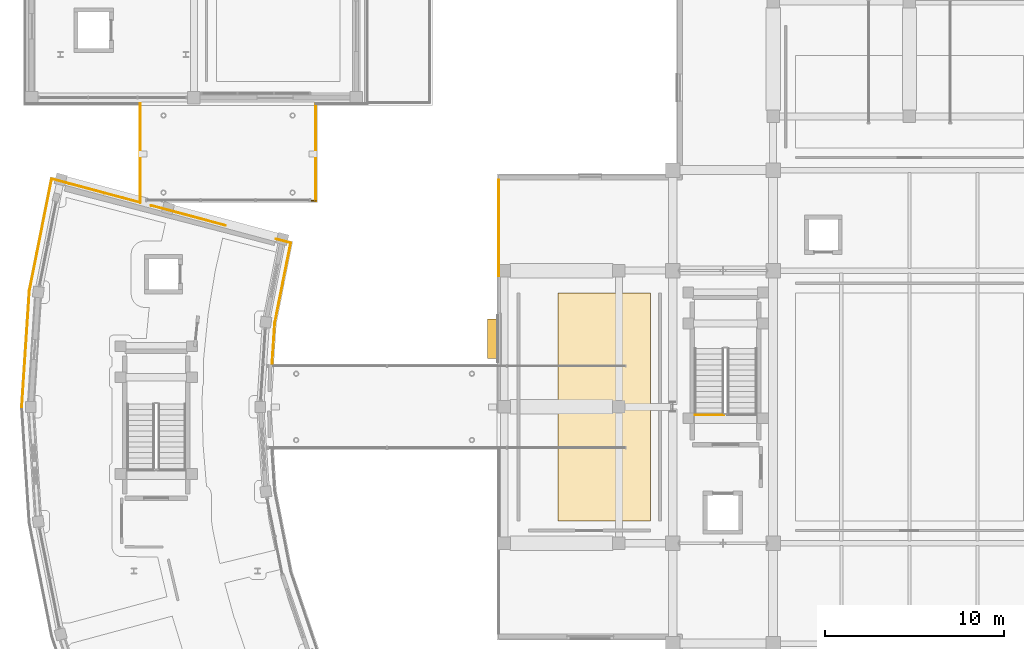
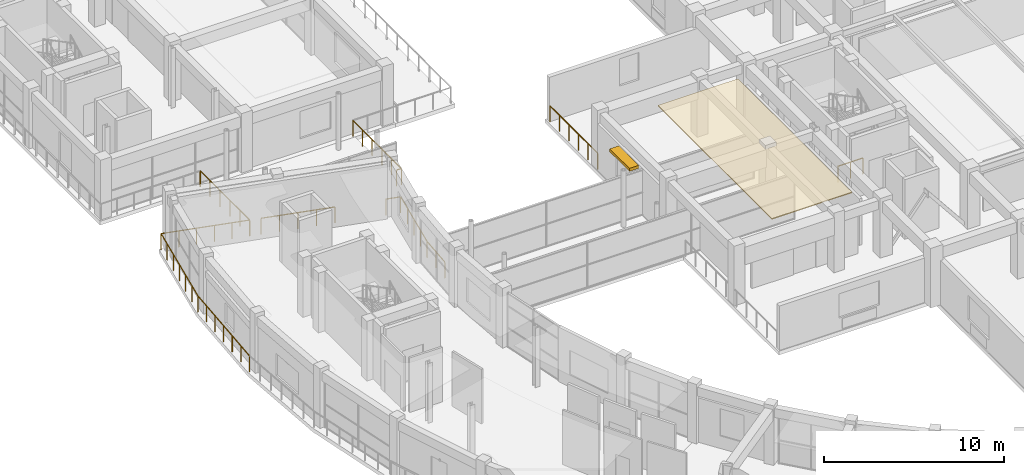
# One storey, part 60 of 70: 12 railings, 1 covering, 1 shading device.
"""IFC4 building model written with IfcOpenShell, lengths in metres."""

from ifc_helpers import new_model, si_unit, direction, frame, origin, origin_2d, place, context, subcontext, project, spatial, polyline, rectangle, outline, extrude, material, layer, layer_set, type_object, element, save


model = new_model("IFC4")

# Units and contexts
model_context = context("Model", 3, precision=1e-05, world=origin(), true_north=direction((0.0, 1.0)))
body_context = subcontext(model_context, "Body", "Model", "MODEL_VIEW")
ifc_project = project(units=[si_unit("LENGTHUNIT", "METRE"), si_unit("AREAUNIT", "SQUARE_METRE"), si_unit("VOLUMEUNIT", "CUBIC_METRE"), si_unit("PLANEANGLEUNIT", "RADIAN"), si_unit("MASSUNIT", "GRAM", prefix="KILO")], contexts=[model_context])

# Site, building, storey
site_placement = place(None, origin())
site = spatial("IfcSite", under=ifc_project, at=site_placement, CompositionType="ELEMENT")
building_placement = place(site_placement, origin())
building = spatial("IfcBuilding", under=site, at=building_placement, Name="Saryqyr Civic Hall", CompositionType="ELEMENT")
storey_placement = place(building_placement, frame((0.0, 0.0, 13.199951171875)))
storey = spatial("IfcBuildingStorey", under=building, at=storey_placement, Name="L03", CompositionType="ELEMENT", Elevation=13.199951171875)

# Shading device
ifc_material_1 = material(Name="Warm brushed brass-anodised aluminium", Category="aluminium")
shading_device_type = type_object("IfcShadingDeviceType", Name="ENV-SHD-LOUVRE", PredefinedType="JALOUSIE", material=ifc_material_1)
shading_device_placement = place(storey_placement, frame((33.77490234375, 87.800048828125, 2.88525390625), z_axis=(0.0, 0.0, 1.0), x_axis=(0.0, 1.0, 0.0)))
element("IfcShadingDevice", 1, at=shading_device_placement, inside=storey, type_object=shading_device_type, Name="Warm brass exterior louvre hood L03-02", PredefinedType="JALOUSIE", context=body_context, shape_type="SweptSolid", body=[
    extrude(rectangle(XDim=2.199951171875, YDim=0.60009765625, at=origin_2d()), origin(), (0.0, 0.0, 1.0), 0.199951171875),
])

# Covering
ifc_material_2 = material(Name="Mineral-fibre acoustic ceiling tile", Category="acoustic_tile")
ifc_layer_1 = layer(ifc_material_2, 0.06005859375, Name="Mineral-fibre acoustic ceiling tile")
ifc_layer_set_1 = layer_set([ifc_layer_1], Name="Mineral-fibre acoustic ceiling tile")
covering_type = type_object("IfcCoveringType", Name="INT-COV-CEIL-60", PredefinedType="CEILING", material=ifc_layer_set_1)
covering_placement = place(storey_placement, frame((0.0, 0.0, 3.72998046875)))
element("IfcCovering", 2, at=covering_placement, inside=storey, type_object=covering_type, Name="Acoustic ceiling Policy Analysts' Suite", PredefinedType="CEILING", context=body_context, shape_type="SweptSolid", body=[
    extrude(outline(polyline([(37.39990234375, 77.64990234375), (37.39990234375, 90.35009765625), (42.550048828125, 90.35009765625), (42.550048828125, 77.64990234375), (37.39990234375, 77.64990234375)])), origin(), (0.0, 0.0, 1.0), 0.06005859375),
])

# Railings
ifc_material_3 = material(Name="Warm brushed brass and laminated glass", Category="glass")
ifc_layer_2 = layer(ifc_material_3, 0.06005859375, Name="Warm brushed brass and laminated glass")
ifc_layer_set_2 = layer_set([ifc_layer_2], Name="Warm brushed brass and laminated glass")
railing_type = type_object("IfcRailingType", Name="INT-RLG-BAL-1100", PredefinedType="BALUSTRADE", material=ifc_layer_set_2)
railing_1_placement = place(storey_placement, frame((7.500244140625, 84.0, 0.0)))
element("IfcRailing", 3, at=railing_1_placement, inside=storey, type_object=railing_type, Name="Interior deck safety balustrade L03-011", PredefinedType="BALUSTRADE", context=body_context, shape_type="SweptSolid", body=[
    extrude(rectangle(XDim=0.048095703125, YDim=0.048095703125, at=origin_2d()), frame((0.0, 0.0, 1.09619140625), z_axis=(0.0653827723, 0.997860257294, 0.0), x_axis=(-0.997860257294, 0.0653827723, 0.0)), (0.0, 0.0, 1.0), 6.474853515625),
    extrude(rectangle(XDim=0.0419921875, YDim=0.0419921875, at=origin_2d()), origin(), (0.0, 0.0, 1.0), 1.072021484375),
    extrude(rectangle(XDim=0.0419921875, YDim=0.0419921875, at=origin_2d()), frame((0.070556640625, 1.076904296875, 0.0)), (0.0, 0.0, 1.0), 1.072021484375),
    extrude(rectangle(XDim=0.0419921875, YDim=0.0419921875, at=origin_2d()), frame((0.14111328125, 2.153564453125, 0.0)), (0.0, 0.0, 1.0), 1.072021484375),
    extrude(rectangle(XDim=0.0419921875, YDim=0.0419921875, at=origin_2d()), frame((0.211669921875, 3.23046875, 0.0)), (0.0, 0.0, 1.0), 1.072021484375),
    extrude(rectangle(XDim=0.0419921875, YDim=0.0419921875, at=origin_2d()), frame((0.2822265625, 4.307373046875, 0.0)), (0.0, 0.0, 1.0), 1.072021484375),
    extrude(rectangle(XDim=0.0419921875, YDim=0.0419921875, at=origin_2d()), frame((0.352783203125, 5.384033203125, 0.0)), (0.0, 0.0, 1.0), 1.072021484375),
    extrude(rectangle(XDim=0.0419921875, YDim=0.0419921875, at=origin_2d()), frame((0.42333984375, 6.4609375, 0.0)), (0.0, 0.0, 1.0), 1.072021484375),
])
railing_2_placement = place(storey_placement, frame((7.923583984375, 90.4609375, 0.0)))
element("IfcRailing", 4, at=railing_2_placement, inside=storey, type_object=railing_type, Name="Interior deck safety balustrade L03-012", PredefinedType="BALUSTRADE", context=body_context, shape_type="SweptSolid", body=[
    extrude(rectangle(XDim=0.048095703125, YDim=0.048095703125, at=origin_2d()), frame((0.0, 0.0, 1.09619140625), z_axis=(0.195092281348, 0.980784890666, 0.0), x_axis=(-0.980784890666, 0.195092281348, 0.0)), (0.0, 0.0, 1.0), 6.374755859375),
    extrude(rectangle(XDim=0.0419921875, YDim=0.0419921875, at=origin_2d()), origin(), (0.0, 0.0, 1.0), 1.072021484375),
    extrude(rectangle(XDim=0.0419921875, YDim=0.0419921875, at=origin_2d()), frame((0.207275390625, 1.0419921875, 0.0)), (0.0, 0.0, 1.0), 1.072021484375),
    extrude(rectangle(XDim=0.0419921875, YDim=0.0419921875, at=origin_2d()), frame((0.41455078125, 2.083984375, 0.0)), (0.0, 0.0, 1.0), 1.072021484375),
    extrude(rectangle(XDim=0.0419921875, YDim=0.0419921875, at=origin_2d()), frame((0.621826171875, 3.1259765625, 0.0)), (0.0, 0.0, 1.0), 1.072021484375),
    extrude(rectangle(XDim=0.0419921875, YDim=0.0419921875, at=origin_2d()), frame((0.8291015625, 4.168212890625, 0.0)), (0.0, 0.0, 1.0), 1.072021484375),
    extrude(rectangle(XDim=0.0419921875, YDim=0.0419921875, at=origin_2d()), frame((1.036376953125, 5.210205078125, 0.0)), (0.0, 0.0, 1.0), 1.072021484375),
    extrude(rectangle(XDim=0.0419921875, YDim=0.0419921875, at=origin_2d()), frame((1.24365234375, 6.252197265625, 0.0)), (0.0, 0.0, 1.0), 1.072021484375),
])
railing_3_placement = place(storey_placement, frame((9.167236328125, 96.713134765625, 0.0)))
element("IfcRailing", 5, at=railing_3_placement, inside=storey, type_object=railing_type, Name="Interior deck safety balustrade L03-013", PredefinedType="BALUSTRADE", context=body_context, shape_type="SweptSolid", body=[
    extrude(rectangle(XDim=0.048095703125, YDim=0.048095703125, at=origin_2d()), frame((0.0, 0.0, 1.09619140625), z_axis=(0.965936742512, -0.258778301768, 0.0), x_axis=(0.258778301768, 0.965936742512, 0.0)), (0.0, 0.0, 1.0), 5.10693359375),
    extrude(rectangle(XDim=0.0419921875, YDim=0.0419921875, at=origin_2d()), origin(), (0.0, 0.0, 1.0), 1.072021484375),
    extrude(rectangle(XDim=0.0419921875, YDim=0.0419921875, at=origin_2d()), frame((0.986572265625, -0.264404296875, 0.0)), (0.0, 0.0, 1.0), 1.072021484375),
    extrude(rectangle(XDim=0.0419921875, YDim=0.0419921875, at=origin_2d()), frame((1.97314453125, -0.528564453125, 0.0)), (0.0, 0.0, 1.0), 1.072021484375),
    extrude(rectangle(XDim=0.0419921875, YDim=0.0419921875, at=origin_2d()), frame((2.959716796875, -0.79296875, 0.0)), (0.0, 0.0, 1.0), 1.072021484375),
    extrude(rectangle(XDim=0.0419921875, YDim=0.0419921875, at=origin_2d()), frame((3.9462890625, -1.05712890625, 0.0)), (0.0, 0.0, 1.0), 1.072021484375),
    extrude(rectangle(XDim=0.0419921875, YDim=0.0419921875, at=origin_2d()), frame((4.932861328125, -1.321533203125, 0.0)), (0.0, 0.0, 1.0), 1.072021484375),
])
railing_4_placement = place(storey_placement, frame((14.10009765625, 95.3916015625, 0.0)))
element("IfcRailing", 6, at=railing_4_placement, inside=storey, type_object=railing_type, Name="Interior deck safety balustrade L03-014", PredefinedType="BALUSTRADE", context=body_context, shape_type="SweptSolid", body=[
    extrude(rectangle(XDim=0.048095703125, YDim=0.048095703125, at=origin_2d()), frame((0.0, 0.0, 1.09619140625), z_axis=(0.0, 1.0, 0.0), x_axis=(-1.0, 0.0, 0.0)), (0.0, 0.0, 1.0), 5.50830078125),
    extrude(rectangle(XDim=0.0419921875, YDim=0.0419921875, at=origin_2d()), origin(), (0.0, 0.0, 1.0), 1.072021484375),
    extrude(rectangle(XDim=0.0419921875, YDim=0.0419921875, at=origin_2d()), frame((0.0, 1.1015625, 0.0)), (0.0, 0.0, 1.0), 1.072021484375),
    extrude(rectangle(XDim=0.0419921875, YDim=0.0419921875, at=origin_2d()), frame((0.0, 2.203369140625, 0.0)), (0.0, 0.0, 1.0), 1.072021484375),
    extrude(rectangle(XDim=0.0419921875, YDim=0.0419921875, at=origin_2d()), frame((0.0, 3.304931640625, 0.0)), (0.0, 0.0, 1.0), 1.072021484375),
    extrude(rectangle(XDim=0.0419921875, YDim=0.0419921875, at=origin_2d()), frame((0.0, 4.40673828125, 0.0)), (0.0, 0.0, 1.0), 1.072021484375),
    extrude(rectangle(XDim=0.0419921875, YDim=0.0419921875, at=origin_2d()), frame((0.0, 5.50830078125, 0.0)), (0.0, 0.0, 1.0), 1.072021484375),
])
railing_5_placement = place(storey_placement, frame((23.89990234375, 100.89990234375, 0.0)))
element("IfcRailing", 7, at=railing_5_placement, inside=storey, type_object=railing_type, Name="Interior deck safety balustrade L03-019", PredefinedType="BALUSTRADE", context=body_context, shape_type="SweptSolid", body=[
    extrude(rectangle(XDim=0.048095703125, YDim=0.048095703125, at=origin_2d()), frame((0.0, 0.0, 1.09619140625), z_axis=(0.0, -1.0, 0.0), x_axis=(1.0, 0.0, 0.0)), (0.0, 0.0, 1.0), 5.39990234375),
    extrude(rectangle(XDim=0.0419921875, YDim=0.0419921875, at=origin_2d()), origin(), (0.0, 0.0, 1.0), 1.072021484375),
    extrude(rectangle(XDim=0.0419921875, YDim=0.0419921875, at=origin_2d()), frame((0.0, -1.080078125, 0.0)), (0.0, 0.0, 1.0), 1.072021484375),
    extrude(rectangle(XDim=0.0419921875, YDim=0.0419921875, at=origin_2d()), frame((0.0, -2.159912109375, 0.0)), (0.0, 0.0, 1.0), 1.072021484375),
    extrude(rectangle(XDim=0.0419921875, YDim=0.0419921875, at=origin_2d()), frame((0.0, -3.239990234375, 0.0)), (0.0, 0.0, 1.0), 1.072021484375),
    extrude(rectangle(XDim=0.0419921875, YDim=0.0419921875, at=origin_2d()), frame((0.0, -4.31982421875, 0.0)), (0.0, 0.0, 1.0), 1.072021484375),
    extrude(rectangle(XDim=0.0419921875, YDim=0.0419921875, at=origin_2d()), frame((0.0, -5.39990234375, 0.0)), (0.0, 0.0, 1.0), 1.072021484375),
])
railing_6_placement = place(storey_placement, frame((23.89990234375, 95.5, 0.0)))
element("IfcRailing", 8, at=railing_6_placement, inside=storey, type_object=railing_type, Name="Interior deck safety balustrade L03-020", PredefinedType="BALUSTRADE", context=body_context, shape_type="SweptSolid", body=[
    extrude(rectangle(XDim=0.048095703125, YDim=0.048095703125, at=origin_2d()), frame((0.0, 0.0, 1.09619140625), z_axis=(-1.0, 0.0, 0.0), x_axis=(0.0, -1.0, 0.0)), (0.0, 0.0, 1.0), 0.2998046875),
    extrude(rectangle(XDim=0.0419921875, YDim=0.0419921875, at=origin_2d()), origin(), (0.0, 0.0, 1.0), 1.072021484375),
    extrude(rectangle(XDim=0.0419921875, YDim=0.0419921875, at=origin_2d()), frame((-0.2998046875, 0.0, 0.0)), (0.0, 0.0, 1.0), 1.072021484375),
])
railing_7_placement = place(storey_placement, frame((14.719970703125, 95.225341796875, 0.0)))
element("IfcRailing", 9, at=railing_7_placement, inside=storey, type_object=railing_type, Name="Interior deck safety balustrade L03-021", PredefinedType="BALUSTRADE", context=body_context, shape_type="SweptSolid", body=[
    extrude(rectangle(XDim=0.048095703125, YDim=0.048095703125, at=origin_2d()), frame((0.0, 0.0, 1.09619140625), z_axis=(0.965931728096, -0.258797018253, 0.0), x_axis=(0.258797018253, 0.965931728096, 0.0)), (0.0, 0.0, 1.0), 4.2724609375),
    extrude(rectangle(XDim=0.0419921875, YDim=0.0419921875, at=origin_2d()), origin(), (0.0, 0.0, 1.0), 1.072021484375),
    extrude(rectangle(XDim=0.0419921875, YDim=0.0419921875, at=origin_2d()), frame((1.03173828125, -0.2763671875, 0.0)), (0.0, 0.0, 1.0), 1.072021484375),
    extrude(rectangle(XDim=0.0419921875, YDim=0.0419921875, at=origin_2d()), frame((2.0634765625, -0.552734375, 0.0)), (0.0, 0.0, 1.0), 1.072021484375),
    extrude(rectangle(XDim=0.0419921875, YDim=0.0419921875, at=origin_2d()), frame((3.09521484375, -0.829345703125, 0.0)), (0.0, 0.0, 1.0), 1.072021484375),
    extrude(rectangle(XDim=0.0419921875, YDim=0.0419921875, at=origin_2d()), frame((4.126953125, -1.105712890625, 0.0)), (0.0, 0.0, 1.0), 1.072021484375),
])
railing_8_placement = place(storey_placement, frame((21.669189453125, 93.36328125, 0.0)))
element("IfcRailing", 10, at=railing_8_placement, inside=storey, type_object=railing_type, Name="Interior deck safety balustrade L03-022", PredefinedType="BALUSTRADE", context=body_context, shape_type="SweptSolid", body=[
    extrude(rectangle(XDim=0.048095703125, YDim=0.048095703125, at=origin_2d()), frame((0.0, 0.0, 1.09619140625), z_axis=(0.965931513134, -0.258797820574, 0.0), x_axis=(0.258797820574, 0.965931513134, 0.0)), (0.0, 0.0, 1.0), 0.856689453125),
    extrude(rectangle(XDim=0.0419921875, YDim=0.0419921875, at=origin_2d()), origin(), (0.0, 0.0, 1.0), 1.072021484375),
    extrude(rectangle(XDim=0.0419921875, YDim=0.0419921875, at=origin_2d()), frame((0.827392578125, -0.2216796875, 0.0)), (0.0, 0.0, 1.0), 1.072021484375),
])
railing_9_placement = place(storey_placement, frame((22.49658203125, 93.1416015625, 0.0)))
element("IfcRailing", 11, at=railing_9_placement, inside=storey, type_object=railing_type, Name="Interior deck safety balustrade L03-023", PredefinedType="BALUSTRADE", context=body_context, shape_type="SweptSolid", body=[
    extrude(rectangle(XDim=0.048095703125, YDim=0.048095703125, at=origin_2d()), frame((0.0, 0.0, 1.09619140625), z_axis=(-0.195067999617, -0.98078972034, 0.0), x_axis=(0.98078972034, -0.195067999617, 0.0)), (0.0, 0.0, 1.0), 4.569580078125),
    extrude(rectangle(XDim=0.0419921875, YDim=0.0419921875, at=origin_2d()), origin(), (0.0, 0.0, 1.0), 1.072021484375),
    extrude(rectangle(XDim=0.0419921875, YDim=0.0419921875, at=origin_2d()), frame((-0.222900390625, -1.120361328125, 0.0)), (0.0, 0.0, 1.0), 1.072021484375),
    extrude(rectangle(XDim=0.0419921875, YDim=0.0419921875, at=origin_2d()), frame((-0.44580078125, -2.24072265625, 0.0)), (0.0, 0.0, 1.0), 1.072021484375),
    extrude(rectangle(XDim=0.0419921875, YDim=0.0419921875, at=origin_2d()), frame((-0.66845703125, -3.361328125, 0.0)), (0.0, 0.0, 1.0), 1.072021484375),
    extrude(rectangle(XDim=0.0419921875, YDim=0.0419921875, at=origin_2d()), frame((-0.891357421875, -4.481689453125, 0.0)), (0.0, 0.0, 1.0), 1.072021484375),
])
railing_10_placement = place(storey_placement, frame((21.605224609375, 88.659912109375, 0.0)))
element("IfcRailing", 12, at=railing_10_placement, inside=storey, type_object=railing_type, Name="Interior deck safety balustrade L03-024", PredefinedType="BALUSTRADE", context=body_context, shape_type="SweptSolid", body=[
    extrude(rectangle(XDim=0.048095703125, YDim=0.048095703125, at=origin_2d()), frame((0.0, 0.0, 1.09619140625), z_axis=(-0.065404581712, -0.997858828037, 0.0), x_axis=(0.997858828037, -0.065404581712, 0.0)), (0.0, 0.0, 1.0), 2.224853515625),
    extrude(rectangle(XDim=0.0419921875, YDim=0.0419921875, at=origin_2d()), origin(), (0.0, 0.0, 1.0), 1.072021484375),
    extrude(rectangle(XDim=0.0419921875, YDim=0.0419921875, at=origin_2d()), frame((-0.07275390625, -1.10986328125, 0.0)), (0.0, 0.0, 1.0), 1.072021484375),
    extrude(rectangle(XDim=0.0419921875, YDim=0.0419921875, at=origin_2d()), frame((-0.1455078125, -2.219970703125, 0.0)), (0.0, 0.0, 1.0), 1.072021484375),
])
railing_11_placement = place(storey_placement, frame((34.10009765625, 91.31494140625, 0.0)))
element("IfcRailing", 13, at=railing_11_placement, inside=storey, type_object=railing_type, Name="Interior deck safety balustrade L03-025", PredefinedType="BALUSTRADE", context=body_context, shape_type="SweptSolid", body=[
    extrude(rectangle(XDim=0.048095703125, YDim=0.048095703125, at=origin_2d()), frame((0.0, 0.0, 1.09619140625), z_axis=(0.0, 1.0, 0.0), x_axis=(-1.0, 0.0, 0.0)), (0.0, 0.0, 1.0), 5.320068359375),
    extrude(rectangle(XDim=0.0419921875, YDim=0.0419921875, at=origin_2d()), origin(), (0.0, 0.0, 1.0), 1.072021484375),
    extrude(rectangle(XDim=0.0419921875, YDim=0.0419921875, at=origin_2d()), frame((0.0, 1.06396484375, 0.0)), (0.0, 0.0, 1.0), 1.072021484375),
    extrude(rectangle(XDim=0.0419921875, YDim=0.0419921875, at=origin_2d()), frame((0.0, 2.1279296875, 0.0)), (0.0, 0.0, 1.0), 1.072021484375),
    extrude(rectangle(XDim=0.0419921875, YDim=0.0419921875, at=origin_2d()), frame((0.0, 3.192138671875, 0.0)), (0.0, 0.0, 1.0), 1.072021484375),
    extrude(rectangle(XDim=0.0419921875, YDim=0.0419921875, at=origin_2d()), frame((0.0, 4.256103515625, 0.0)), (0.0, 0.0, 1.0), 1.072021484375),
    extrude(rectangle(XDim=0.0419921875, YDim=0.0419921875, at=origin_2d()), frame((0.0, 5.320068359375, 0.0)), (0.0, 0.0, 1.0), 1.072021484375),
])
railing_12_placement = place(storey_placement, frame((45.044921875, 83.550048828125, 0.0)))
element("IfcRailing", 14, at=railing_12_placement, inside=storey, type_object=railing_type, Name="Interior deck safety balustrade L03-100", PredefinedType="BALUSTRADE", context=body_context, shape_type="SweptSolid", body=[
    extrude(rectangle(XDim=0.048095703125, YDim=0.048095703125, at=origin_2d()), frame((0.0, 0.0, 1.09619140625), z_axis=(1.0, 0.0, 0.0), x_axis=(0.0, 1.0, 0.0)), (0.0, 0.0, 1.0), 1.60498046875),
    extrude(rectangle(XDim=0.0419921875, YDim=0.0419921875, at=origin_2d()), origin(), (0.0, 0.0, 1.0), 1.072021484375),
    extrude(rectangle(XDim=0.0419921875, YDim=0.0419921875, at=origin_2d()), frame((0.802490234375, 0.0, 0.0)), (0.0, 0.0, 1.0), 1.072021484375),
    extrude(rectangle(XDim=0.0419921875, YDim=0.0419921875, at=origin_2d()), frame((1.60498046875, 0.0, 0.0)), (0.0, 0.0, 1.0), 1.072021484375),
])

save(model, "model.ifc")
